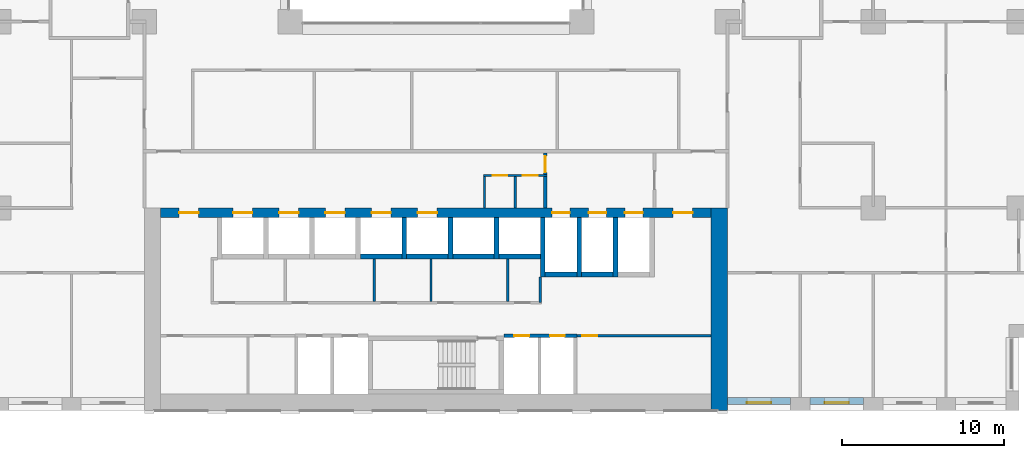
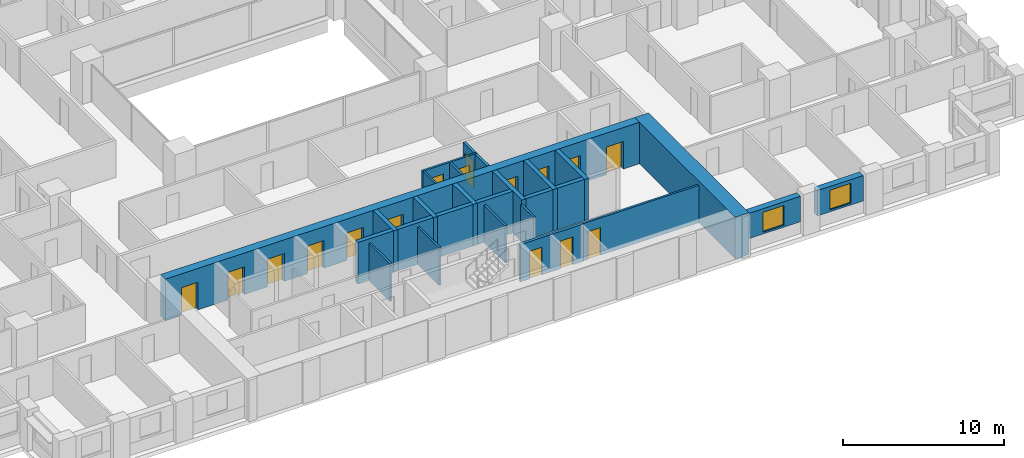
# One storey, part 11 of 19: 27 walls, 16 doors, 2 windows, 18 openings.
"""IFC4 building model written with IfcOpenShell, lengths in metres."""

from ifc_helpers import new_model, si_unit, direction, frame, frame_2d, origin, place, context, subcontext, project, spatial, rectangle, extrude, material, layer, layer_set, type_object, element, fill, save


model = new_model("IFC4")

# Units and contexts
model_context = context("Model", 3, precision=1e-05, world=origin(), true_north=direction((0.0, 1.0)))
body_context = subcontext(model_context, "Body", "Model", "MODEL_VIEW")
ifc_project = project(units=[si_unit("LENGTHUNIT", "METRE"), si_unit("AREAUNIT", "SQUARE_METRE"), si_unit("VOLUMEUNIT", "CUBIC_METRE"), si_unit("PLANEANGLEUNIT", "RADIAN"), si_unit("MASSUNIT", "GRAM", prefix="KILO")], contexts=[model_context])

# Site, building, storey
site_placement = place(None, origin())
site = spatial("IfcSite", under=ifc_project, at=site_placement, CompositionType="ELEMENT")
building_placement = place(site_placement, origin())
building = spatial("IfcBuilding", under=site, at=building_placement, Name="Brigalow Station Residences", CompositionType="ELEMENT")
storey_placement = place(building_placement, frame((0.0, 0.0, 32.10009765625)))
storey = spatial("IfcBuildingStorey", under=building, at=storey_placement, Name="L08", CompositionType="ELEMENT", Elevation=32.10009765625)

# Wall, opening, window
ifc_material_1 = material(Name="Clay brick masonry", Category="masonry")
ifc_layer_1 = layer(ifc_material_1, 0.449951171875)
ifc_layer_set_1 = layer_set([ifc_layer_1], Name="BRICK INFILL WALL 450")
wall_type_1 = type_object("IfcWallType", Name="BRICK INFILL WALL 450", PredefinedType="SOLIDWALL", material=ifc_layer_set_1)
wall_1_placement = place(storey_placement, frame((54.0, 0.574951171875, 0.89990234375), z_axis=(0.0, 0.0, 1.0), x_axis=(1.0, 0.0, 0.0)))
wall_1 = element("IfcWall", 1, at=wall_1_placement, inside=storey, type_object=wall_type_1, Name="L08/ewall/W-L08-5", PredefinedType="SOLIDWALL", context=body_context, shape_type="SweptSolid", body=[
    extrude(rectangle(XDim=3.89990234375, YDim=0.449951171875, at=frame_2d((1.949951171875, 0.0))), origin(), (0.0, 0.0, 1.0), 1.929931640625),
])
opening_1_placement = place(wall_1_placement, frame((1.199951171875, 0.0, 0.14990234375)))
opening_1 = element("IfcOpeningElement", 2, at=opening_1_placement, cuts=wall_1, Name="Opening WT-1", PredefinedType="OPENING", context=body_context, shape_type="SweptSolid", body=[
    extrude(rectangle(XDim=1.5, YDim=1.5, at=frame_2d((0.75, 0.75))), frame((0.0, 0.23486328125, 0.0), z_axis=(0.0, -1.0, 0.0), x_axis=(1.0, 0.0, 0.0)), (0.0, 0.0, 1.0), 0.469970703125),
])
ifc_material_2 = material(Name="Anodised aluminium frame with double glazing", Category="aluminium")
window_type = type_object("IfcWindowType", Name="WINDOW 1500x1500", PartitioningType="SINGLE_PANEL", PredefinedType="WINDOW", material=ifc_material_2)
window_1_placement = place(opening_1_placement, origin())
window_1 = element("IfcWindow", 3, at=window_1_placement, inside=storey, type_object=window_type, Name="L08/window/W-L08-5", OverallHeight=1.5, OverallWidth=1.5, PartitioningType="SINGLE_PANEL", PredefinedType="WINDOW", context=body_context, shape_type="SweptSolid", body=[
    extrude(rectangle(XDim=1.5, YDim=1.5, at=frame_2d((0.75, 0.75))), frame((0.0, -0.06494140625, 0.0), z_axis=(0.0, -1.0, 0.0), x_axis=(1.0, 0.0, 0.0)), (0.0, 0.0, 1.0), 0.06005859375),
])
fill(opening_1, window_1)

wall_2_placement = place(storey_placement, frame((59.10009765625, 0.574951171875, 0.89990234375), z_axis=(0.0, 0.0, 1.0), x_axis=(1.0, 0.0, 0.0)))
wall_2 = element("IfcWall", 4, at=wall_2_placement, inside=storey, type_object=wall_type_1, Name="L08/ewall/W-L08-6", PredefinedType="SOLIDWALL", context=body_context, shape_type="SweptSolid", body=[
    extrude(rectangle(XDim=3.2998046875, YDim=0.449951171875, at=frame_2d((1.64990234375, 0.0))), origin(), (0.0, 0.0, 1.0), 1.929931640625),
])
opening_2_placement = place(wall_2_placement, frame((0.89990234375, 0.0, 0.14990234375)))
opening_2 = element("IfcOpeningElement", 5, at=opening_2_placement, cuts=wall_2, Name="Opening WT-1", PredefinedType="OPENING", context=body_context, shape_type="SweptSolid", body=[
    extrude(rectangle(XDim=1.5, YDim=1.5, at=frame_2d((0.75, 0.75))), frame((0.0, 0.23486328125, 0.0), z_axis=(0.0, -1.0, 0.0), x_axis=(1.0, 0.0, 0.0)), (0.0, 0.0, 1.0), 0.469970703125),
])
window_2_placement = place(opening_2_placement, origin())
window_2 = element("IfcWindow", 6, at=window_2_placement, inside=storey, type_object=window_type, Name="L08/window/W-L08-6", OverallHeight=1.5, OverallWidth=1.5, PartitioningType="SINGLE_PANEL", PredefinedType="WINDOW", context=body_context, shape_type="SweptSolid", body=[
    extrude(rectangle(XDim=1.5, YDim=1.5, at=frame_2d((0.75, 0.75))), frame((0.0, -0.06494140625, 0.0), z_axis=(0.0, -1.0, 0.0), x_axis=(1.0, 0.0, 0.0)), (0.0, 0.0, 1.0), 0.06005859375),
])
fill(opening_2, window_2)

# Walls
ifc_material_3 = material(Name="Concrete C80", Category="concrete")
ifc_layer_2 = layer(ifc_material_3, 1.0)
ifc_layer_set_2 = layer_set([ifc_layer_2], Name="CORE SHEAR WALL 1000 C80")
wall_type_2 = type_object("IfcWallType", Name="CORE SHEAR WALL 1000 C80", PredefinedType="SHEAR", material=ifc_layer_set_2)
wall_3_placement = place(storey_placement, frame((53.5, 0.0, 0.0), z_axis=(0.0, 0.0, 1.0), x_axis=(0.0, 1.0, 0.0)))
element("IfcWall", 7, at=wall_3_placement, inside=storey, type_object=wall_type_2, Name="CORE WALL OUT-E L08", PredefinedType="SHEAR", context=body_context, shape_type="SweptSolid", body=[
    extrude(rectangle(XDim=12.5, YDim=1.0, at=frame_2d((6.25, 0.0))), origin(), (0.0, 0.0, 1.0), 3.14990234375),
])
ifc_material_4 = material(Name="Concrete C80", Category="concrete")
ifc_layer_3 = layer(ifc_material_4, 0.300048828125)
ifc_layer_set_3 = layer_set([ifc_layer_3], Name="CORE SHEAR WALL 300 C80")
wall_type_3 = type_object("IfcWallType", Name="CORE SHEAR WALL 300 C80", PredefinedType="SHEAR", material=ifc_layer_set_3)
wall_4_placement = place(storey_placement, frame((31.35009765625, 9.5, 0.0), z_axis=(0.0, 0.0, 1.0), x_axis=(1.0, 0.0, 0.0)))
element("IfcWall", 8, at=wall_4_placement, inside=storey, type_object=wall_type_3, Name="CORE WALL SH-P4-S L08", PredefinedType="SHEAR", context=body_context, shape_type="SweptSolid", body=[
    extrude(rectangle(XDim=2.5498046875, YDim=0.300048828125, at=frame_2d((1.27490234375, 0.0))), origin(), (0.0, 0.0, 1.0), 3.14990234375),
])
wall_5_placement = place(storey_placement, frame((34.199951171875, 9.5, 0.0), z_axis=(0.0, 0.0, 1.0), x_axis=(1.0, 0.0, 0.0)))
element("IfcWall", 9, at=wall_5_placement, inside=storey, type_object=wall_type_3, Name="CORE WALL SH-P5-S L08", PredefinedType="SHEAR", context=body_context, shape_type="SweptSolid", body=[
    extrude(rectangle(XDim=2.550048828125, YDim=0.300048828125, at=frame_2d((1.27490234375, 0.0))), origin(), (0.0, 0.0, 1.0), 3.14990234375),
])
wall_6_placement = place(storey_placement, frame((34.050048828125, 9.35009765625, 0.0), z_axis=(0.0, 0.0, 1.0), x_axis=(0.0, 1.0, 0.0)))
element("IfcWall", 10, at=wall_6_placement, inside=storey, type_object=wall_type_3, Name="CORE WALL SH-P5-W L08", PredefinedType="SHEAR", context=body_context, shape_type="SweptSolid", body=[
    extrude(rectangle(XDim=2.5498046875, YDim=0.300048828125, at=frame_2d((1.27490234375, 0.0))), origin(), (0.0, 0.0, 1.0), 3.14990234375),
])
wall_7_placement = place(storey_placement, frame((37.050048828125, 9.5, 0.0), z_axis=(0.0, 0.0, 1.0), x_axis=(1.0, 0.0, 0.0)))
element("IfcWall", 11, at=wall_7_placement, inside=storey, type_object=wall_type_3, Name="CORE WALL SH-X1-S L08", PredefinedType="SHEAR", context=body_context, shape_type="SweptSolid", body=[
    extrude(rectangle(XDim=2.550048828125, YDim=0.300048828125, at=frame_2d((1.27490234375, 0.0))), origin(), (0.0, 0.0, 1.0), 3.14990234375),
])
wall_8_placement = place(storey_placement, frame((36.89990234375, 9.35009765625, 0.0), z_axis=(0.0, 0.0, 1.0), x_axis=(0.0, 1.0, 0.0)))
element("IfcWall", 12, at=wall_8_placement, inside=storey, type_object=wall_type_3, Name="CORE WALL SH-X1-W L08", PredefinedType="SHEAR", context=body_context, shape_type="SweptSolid", body=[
    extrude(rectangle(XDim=2.5498046875, YDim=0.300048828125, at=frame_2d((1.27490234375, 0.0))), origin(), (0.0, 0.0, 1.0), 3.14990234375),
])
wall_9_placement = place(storey_placement, frame((39.89990234375, 9.5, 0.0), z_axis=(0.0, 0.0, 1.0), x_axis=(1.0, 0.0, 0.0)))
element("IfcWall", 13, at=wall_9_placement, inside=storey, type_object=wall_type_3, Name="CORE WALL SH-X2-S L08", PredefinedType="SHEAR", context=body_context, shape_type="SweptSolid", body=[
    extrude(rectangle(XDim=2.550048828125, YDim=0.300048828125, at=frame_2d((1.27490234375, 0.0))), origin(), (0.0, 0.0, 1.0), 3.14990234375),
])
wall_10_placement = place(storey_placement, frame((39.75, 9.35009765625, 0.0), z_axis=(0.0, 0.0, 1.0), x_axis=(0.0, 1.0, 0.0)))
element("IfcWall", 14, at=wall_10_placement, inside=storey, type_object=wall_type_3, Name="CORE WALL SH-X2-W L08", PredefinedType="SHEAR", context=body_context, shape_type="SweptSolid", body=[
    extrude(rectangle(XDim=2.5498046875, YDim=0.300048828125, at=frame_2d((1.27490234375, 0.0))), origin(), (0.0, 0.0, 1.0), 3.14990234375),
])
wall_11_placement = place(storey_placement, frame((42.75, 8.39990234375, 0.0), z_axis=(0.0, 0.0, 1.0), x_axis=(1.0, 0.0, 0.0)))
element("IfcWall", 15, at=wall_11_placement, inside=storey, type_object=wall_type_3, Name="CORE WALL SH-FF1-S L08", PredefinedType="SHEAR", context=body_context, shape_type="SweptSolid", body=[
    extrude(rectangle(XDim=1.949951171875, YDim=0.300048828125, at=frame_2d((0.97509765625, 0.0))), origin(), (0.0, 0.0, 1.0), 3.14990234375),
])
wall_12_placement = place(storey_placement, frame((42.60009765625, 8.25, 0.0), z_axis=(0.0, 0.0, 1.0), x_axis=(0.0, 1.0, 0.0)))
element("IfcWall", 16, at=wall_12_placement, inside=storey, type_object=wall_type_3, Name="CORE WALL SH-FF1-W L08", PredefinedType="SHEAR", context=body_context, shape_type="SweptSolid", body=[
    extrude(rectangle(XDim=3.64990234375, YDim=0.300048828125, at=frame_2d((1.824951171875, 0.0))), origin(), (0.0, 0.0, 1.0), 3.14990234375),
])
wall_13_placement = place(storey_placement, frame((45.0, 8.39990234375, 0.0), z_axis=(0.0, 0.0, 1.0), x_axis=(1.0, 0.0, 0.0)))
element("IfcWall", 17, at=wall_13_placement, inside=storey, type_object=wall_type_3, Name="CORE WALL SH-FF2-S L08", PredefinedType="SHEAR", context=body_context, shape_type="SweptSolid", body=[
    extrude(rectangle(XDim=1.949951171875, YDim=0.300048828125, at=frame_2d((0.97509765625, 0.0))), origin(), (0.0, 0.0, 1.0), 3.14990234375),
])
for number, where, z_axis, x_axis, name in (
    (18, (44.85009765625, 8.25, 0.0), (0.0, 0.0, 1.0), (0.0, 1.0, 0.0), "CORE WALL SH-FF2-W L08"),
    (19, (47.10009765625, 8.25, 0.0), (0.0, 0.0, 1.0), (0.0, 1.0, 0.0), "CORE WALL SH-SL1-W L08"),
):
    element("IfcWall", number, at=place(storey_placement, frame(where, z_axis=z_axis, x_axis=x_axis)), inside=storey, type_object=wall_type_3, Name=name, PredefinedType="SHEAR", context=body_context, shape_type="SweptSolid", body=[
        extrude(rectangle(XDim=3.64990234375, YDim=0.300048828125, at=frame_2d((1.824951171875, 0.0))), origin(), (0.0, 0.0, 1.0), 3.14990234375),
    ])

# Wall, openings, doors
ifc_material_5 = material(Name="Concrete C80", Category="concrete")
ifc_layer_4 = layer(ifc_material_5, 0.60009765625)
ifc_layer_set_4 = layer_set([ifc_layer_4], Name="CORE SHEAR WALL 600 C80")
wall_type_4 = type_object("IfcWallType", Name="CORE SHEAR WALL 600 C80", PredefinedType="SHEAR", material=ifc_layer_set_4)
wall_14_placement = place(storey_placement, frame((19.0, 12.199951171875, 0.0), z_axis=(0.0, 0.0, 1.0), x_axis=(1.0, 0.0, 0.0)))
wall_14 = element("IfcWall", 20, at=wall_14_placement, inside=storey, type_object=wall_type_4, Name="CORE WALL OUT-N L08", PredefinedType="SHEAR", context=body_context, shape_type="SweptSolid", body=[
    extrude(rectangle(XDim=34.0, YDim=0.60009765625, at=frame_2d((17.0, 0.0))), origin(), (0.0, 0.0, 1.0), 3.14990234375),
])
opening_3_placement = place(wall_14_placement, frame((4.47509765625, 0.0, 0.0)))
opening_3 = element("IfcOpeningElement", 21, at=opening_3_placement, cuts=wall_14, Name="Opening LD-LA1", PredefinedType="OPENING", context=body_context, shape_type="SweptSolid", body=[
    extrude(rectangle(XDim=1.199951171875, YDim=2.10009765625, at=frame_2d((0.60009765625, 1.050048828125))), frame((0.0, 0.31005859375, 0.0), z_axis=(0.0, -1.0, 0.0), x_axis=(1.0, 0.0, 0.0)), (0.0, 0.0, 1.0), 0.6201171875),
])
opening_4_placement = place(wall_14_placement, frame((7.324951171875, 0.0, 0.0)))
opening_4 = element("IfcOpeningElement", 22, at=opening_4_placement, cuts=wall_14, Name="Opening LD-LA2", PredefinedType="OPENING", context=body_context, shape_type="SweptSolid", body=[
    extrude(rectangle(XDim=1.199951171875, YDim=2.10009765625, at=frame_2d((0.60009765625, 1.050048828125))), frame((0.0, 0.31005859375, 0.0), z_axis=(0.0, -1.0, 0.0), x_axis=(1.0, 0.0, 0.0)), (0.0, 0.0, 1.0), 0.6201171875),
])
opening_5_placement = place(wall_14_placement, frame((10.175048828125, 0.0, 0.0)))
opening_5 = element("IfcOpeningElement", 23, at=opening_5_placement, cuts=wall_14, Name="Opening LD-LA3", PredefinedType="OPENING", context=body_context, shape_type="SweptSolid", body=[
    extrude(rectangle(XDim=1.199951171875, YDim=2.10009765625, at=frame_2d((0.60009765625, 1.050048828125))), frame((0.0, 0.31005859375, 0.0), z_axis=(0.0, -1.0, 0.0), x_axis=(1.0, 0.0, 0.0)), (0.0, 0.0, 1.0), 0.6201171875),
])
opening_6_placement = place(wall_14_placement, frame((13.02490234375, 0.0, 0.0)))
opening_6 = element("IfcOpeningElement", 24, at=opening_6_placement, cuts=wall_14, Name="Opening LD-LA4", PredefinedType="OPENING", context=body_context, shape_type="SweptSolid", body=[
    extrude(rectangle(XDim=1.199951171875, YDim=2.10009765625, at=frame_2d((0.60009765625, 1.050048828125))), frame((0.0, 0.31005859375, 0.0), z_axis=(0.0, -1.0, 0.0), x_axis=(1.0, 0.0, 0.0)), (0.0, 0.0, 1.0), 0.6201171875),
])
opening_7_placement = place(wall_14_placement, frame((15.875, 0.0, 0.0)))
opening_7 = element("IfcOpeningElement", 25, at=opening_7_placement, cuts=wall_14, Name="Opening LD-LA5", PredefinedType="OPENING", context=body_context, shape_type="SweptSolid", body=[
    extrude(rectangle(XDim=1.199951171875, YDim=2.10009765625, at=frame_2d((0.60009765625, 1.050048828125))), frame((0.0, 0.31005859375, 0.0), z_axis=(0.0, -1.0, 0.0), x_axis=(1.0, 0.0, 0.0)), (0.0, 0.0, 1.0), 0.6201171875),
])
opening_8_placement = place(wall_14_placement, frame((24.175048828125, 0.0, 0.0)))
opening_8 = element("IfcOpeningElement", 26, at=opening_8_placement, cuts=wall_14, Name="Opening LD-LF1", PredefinedType="OPENING", context=body_context, shape_type="SweptSolid", body=[
    extrude(rectangle(XDim=1.10009765625, YDim=2.10009765625, at=frame_2d((0.550048828125, 1.050048828125))), frame((0.0, 0.31005859375, 0.0), z_axis=(0.0, -1.0, 0.0), x_axis=(1.0, 0.0, 0.0)), (0.0, 0.0, 1.0), 0.6201171875),
])
opening_9_placement = place(wall_14_placement, frame((26.425048828125, 0.0, 0.0)))
opening_9 = element("IfcOpeningElement", 27, at=opening_9_placement, cuts=wall_14, Name="Opening LD-LF2", PredefinedType="OPENING", context=body_context, shape_type="SweptSolid", body=[
    extrude(rectangle(XDim=1.10009765625, YDim=2.10009765625, at=frame_2d((0.550048828125, 1.050048828125))), frame((0.0, 0.31005859375, 0.0), z_axis=(0.0, -1.0, 0.0), x_axis=(1.0, 0.0, 0.0)), (0.0, 0.0, 1.0), 0.6201171875),
])
opening_10_placement = place(wall_14_placement, frame((28.675048828125, 0.0, 0.0)))
opening_10 = element("IfcOpeningElement", 28, at=opening_10_placement, cuts=wall_14, Name="Opening LD-LG1", PredefinedType="OPENING", context=body_context, shape_type="SweptSolid", body=[
    extrude(rectangle(XDim=1.10009765625, YDim=2.10009765625, at=frame_2d((0.550048828125, 1.050048828125))), frame((0.0, 0.31005859375, 0.0), z_axis=(0.0, -1.0, 0.0), x_axis=(1.0, 0.0, 0.0)), (0.0, 0.0, 1.0), 0.6201171875),
])
opening_11_placement = place(wall_14_placement, frame((1.14990234375, 0.0, 0.0)))
opening_11 = element("IfcOpeningElement", 29, at=opening_11_placement, cuts=wall_14, Name="Opening D-5011", PredefinedType="OPENING", context=body_context, shape_type="SweptSolid", body=[
    extrude(rectangle(XDim=1.199951171875, YDim=2.10009765625, at=frame_2d((0.60009765625, 1.050048828125))), frame((0.0, 0.31005859375, 0.0), z_axis=(0.0, -1.0, 0.0), x_axis=(1.0, 0.0, 0.0)), (0.0, 0.0, 1.0), 0.6201171875),
])
opening_12_placement = place(wall_14_placement, frame((31.64990234375, 0.0, 0.0)))
opening_12 = element("IfcOpeningElement", 30, at=opening_12_placement, cuts=wall_14, Name="Opening D-5012", PredefinedType="OPENING", context=body_context, shape_type="SweptSolid", body=[
    extrude(rectangle(XDim=1.199951171875, YDim=2.10009765625, at=frame_2d((0.60009765625, 1.050048828125))), frame((0.0, 0.31005859375, 0.0), z_axis=(0.0, -1.0, 0.0), x_axis=(1.0, 0.0, 0.0)), (0.0, 0.0, 1.0), 0.6201171875),
])
ifc_material_6 = material(Name="Steel fire door leaf in steel frame", Category="steel")
door_type_1 = type_object("IfcDoorType", Name="CORE CORRIDOR DOOR 1200 x 2100 FD60S", OperationType="SINGLE_SWING_LEFT", PredefinedType="DOOR", material=ifc_material_6)
door_1_placement = place(opening_11_placement, frame((1.199951171875, 0.0, 0.0), z_axis=(0.0, 0.0, 1.0), x_axis=(-1.0, 0.0, 0.0)))
door_1 = element("IfcDoor", 31, at=door_1_placement, inside=storey, type_object=door_type_1, Name="D-5011", OperationType="SINGLE_SWING_LEFT", OverallHeight=2.10009765625, OverallWidth=1.199951171875, PredefinedType="DOOR", context=body_context, shape_type="SweptSolid", body=[
    extrude(rectangle(XDim=1.199951171875, YDim=2.10009765625, at=frame_2d((0.60009765625, 1.050048828125))), frame((0.0, 0.02490234375, 0.0), z_axis=(0.0, -1.0, 0.0), x_axis=(1.0, 0.0, 0.0)), (0.0, 0.0, 1.0), 0.050048828125),
])
fill(opening_11, door_1)
door_2_placement = place(opening_12_placement, frame((1.199951171875, 0.0, 0.0), z_axis=(0.0, 0.0, 1.0), x_axis=(-1.0, 0.0, 0.0)))
door_2 = element("IfcDoor", 32, at=door_2_placement, inside=storey, type_object=door_type_1, Name="D-5012", OperationType="SINGLE_SWING_RIGHT", OverallHeight=2.10009765625, OverallWidth=1.199951171875, PredefinedType="DOOR", context=body_context, shape_type="SweptSolid", body=[
    extrude(rectangle(XDim=1.199951171875, YDim=2.10009765625, at=frame_2d((0.60009765625, 1.050048828125))), frame((0.0, 0.02490234375, 0.0), z_axis=(0.0, -1.0, 0.0), x_axis=(1.0, 0.0, 0.0)), (0.0, 0.0, 1.0), 0.050048828125),
])
fill(opening_12, door_2)
ifc_material_7 = material(Name="Stainless steel sliding door leaves", Category="steel")
door_type_2 = type_object("IfcDoorType", Name="LIFT LANDING DOOR 1100 x 2100", OperationType="DOUBLE_DOOR_SLIDING", PredefinedType="DOOR", material=ifc_material_7)
door_3_placement = place(opening_8_placement, origin())
door_3 = element("IfcDoor", 33, at=door_3_placement, inside=storey, type_object=door_type_2, Name="LANDING DOOR LF1", OperationType="DOUBLE_DOOR_SLIDING", OverallHeight=2.10009765625, OverallWidth=1.10009765625, PredefinedType="DOOR", context=body_context, shape_type="SweptSolid", body=[
    extrude(rectangle(XDim=1.10009765625, YDim=2.10009765625, at=frame_2d((0.550048828125, 1.050048828125))), frame((0.0, 0.02490234375, 0.0), z_axis=(0.0, -1.0, 0.0), x_axis=(1.0, 0.0, 0.0)), (0.0, 0.0, 1.0), 0.050048828125),
])
fill(opening_8, door_3)
door_4_placement = place(opening_9_placement, origin())
door_4 = element("IfcDoor", 34, at=door_4_placement, inside=storey, type_object=door_type_2, Name="LANDING DOOR LF2", OperationType="DOUBLE_DOOR_SLIDING", OverallHeight=2.10009765625, OverallWidth=1.10009765625, PredefinedType="DOOR", context=body_context, shape_type="SweptSolid", body=[
    extrude(rectangle(XDim=1.10009765625, YDim=2.10009765625, at=frame_2d((0.550048828125, 1.050048828125))), frame((0.0, 0.02490234375, 0.0), z_axis=(0.0, -1.0, 0.0), x_axis=(1.0, 0.0, 0.0)), (0.0, 0.0, 1.0), 0.050048828125),
])
fill(opening_9, door_4)
door_5_placement = place(opening_10_placement, origin())
door_5 = element("IfcDoor", 35, at=door_5_placement, inside=storey, type_object=door_type_2, Name="LANDING DOOR LG1", OperationType="DOUBLE_DOOR_SLIDING", OverallHeight=2.10009765625, OverallWidth=1.10009765625, PredefinedType="DOOR", context=body_context, shape_type="SweptSolid", body=[
    extrude(rectangle(XDim=1.10009765625, YDim=2.10009765625, at=frame_2d((0.550048828125, 1.050048828125))), frame((0.0, 0.02490234375, 0.0), z_axis=(0.0, -1.0, 0.0), x_axis=(1.0, 0.0, 0.0)), (0.0, 0.0, 1.0), 0.050048828125),
])
fill(opening_10, door_5)
ifc_material_8 = material(Name="Stainless steel sliding door leaves", Category="steel")
door_type_3 = type_object("IfcDoorType", Name="LIFT LANDING DOOR 1200 x 2100", OperationType="DOUBLE_DOOR_SLIDING", PredefinedType="DOOR", material=ifc_material_8)
door_6_placement = place(opening_3_placement, origin())
door_6 = element("IfcDoor", 36, at=door_6_placement, inside=storey, type_object=door_type_3, Name="LANDING DOOR LA1", OperationType="DOUBLE_DOOR_SLIDING", OverallHeight=2.10009765625, OverallWidth=1.199951171875, PredefinedType="DOOR", context=body_context, shape_type="SweptSolid", body=[
    extrude(rectangle(XDim=1.199951171875, YDim=2.10009765625, at=frame_2d((0.60009765625, 1.050048828125))), frame((0.0, 0.02490234375, 0.0), z_axis=(0.0, -1.0, 0.0), x_axis=(1.0, 0.0, 0.0)), (0.0, 0.0, 1.0), 0.050048828125),
])
fill(opening_3, door_6)
door_7_placement = place(opening_4_placement, origin())
door_7 = element("IfcDoor", 37, at=door_7_placement, inside=storey, type_object=door_type_3, Name="LANDING DOOR LA2", OperationType="DOUBLE_DOOR_SLIDING", OverallHeight=2.10009765625, OverallWidth=1.199951171875, PredefinedType="DOOR", context=body_context, shape_type="SweptSolid", body=[
    extrude(rectangle(XDim=1.199951171875, YDim=2.10009765625, at=frame_2d((0.60009765625, 1.050048828125))), frame((0.0, 0.02490234375, 0.0), z_axis=(0.0, -1.0, 0.0), x_axis=(1.0, 0.0, 0.0)), (0.0, 0.0, 1.0), 0.050048828125),
])
fill(opening_4, door_7)
door_8_placement = place(opening_5_placement, origin())
door_8 = element("IfcDoor", 38, at=door_8_placement, inside=storey, type_object=door_type_3, Name="LANDING DOOR LA3", OperationType="DOUBLE_DOOR_SLIDING", OverallHeight=2.10009765625, OverallWidth=1.199951171875, PredefinedType="DOOR", context=body_context, shape_type="SweptSolid", body=[
    extrude(rectangle(XDim=1.199951171875, YDim=2.10009765625, at=frame_2d((0.60009765625, 1.050048828125))), frame((0.0, 0.02490234375, 0.0), z_axis=(0.0, -1.0, 0.0), x_axis=(1.0, 0.0, 0.0)), (0.0, 0.0, 1.0), 0.050048828125),
])
fill(opening_5, door_8)
door_9_placement = place(opening_6_placement, origin())
door_9 = element("IfcDoor", 39, at=door_9_placement, inside=storey, type_object=door_type_3, Name="LANDING DOOR LA4", OperationType="DOUBLE_DOOR_SLIDING", OverallHeight=2.10009765625, OverallWidth=1.199951171875, PredefinedType="DOOR", context=body_context, shape_type="SweptSolid", body=[
    extrude(rectangle(XDim=1.199951171875, YDim=2.10009765625, at=frame_2d((0.60009765625, 1.050048828125))), frame((0.0, 0.02490234375, 0.0), z_axis=(0.0, -1.0, 0.0), x_axis=(1.0, 0.0, 0.0)), (0.0, 0.0, 1.0), 0.050048828125),
])
fill(opening_6, door_9)
door_10_placement = place(opening_7_placement, origin())
door_10 = element("IfcDoor", 40, at=door_10_placement, inside=storey, type_object=door_type_3, Name="LANDING DOOR LA5", OperationType="DOUBLE_DOOR_SLIDING", OverallHeight=2.10009765625, OverallWidth=1.199951171875, PredefinedType="DOOR", context=body_context, shape_type="SweptSolid", body=[
    extrude(rectangle(XDim=1.199951171875, YDim=2.10009765625, at=frame_2d((0.60009765625, 1.050048828125))), frame((0.0, 0.02490234375, 0.0), z_axis=(0.0, -1.0, 0.0), x_axis=(1.0, 0.0, 0.0)), (0.0, 0.0, 1.0), 0.050048828125),
])
fill(opening_7, door_10)

ifc_material_9 = material(Name="Concrete blockwork", Category="masonry")
ifc_layer_5 = layer(ifc_material_9, 0.199951171875)
ifc_layer_set_5 = layer_set([ifc_layer_5], Name="FIRE RATED CORE PARTITION 200")
wall_type_5 = type_object("IfcWallType", Name="FIRE RATED CORE PARTITION 200", PredefinedType="PARTITIONING", material=ifc_layer_set_5)
wall_15_placement = place(storey_placement, frame((40.199951171875, 4.60009765625, 0.0), z_axis=(0.0, 0.0, 1.0), x_axis=(1.0, 0.0, 0.0)))
wall_15 = element("IfcWall", 41, at=wall_15_placement, inside=storey, type_object=wall_type_5, Name="PW-5018", PredefinedType="PARTITIONING", context=body_context, shape_type="SweptSolid", body=[
    extrude(rectangle(XDim=4.5, YDim=0.199951171875, at=frame_2d((2.25, 0.0))), origin(), (0.0, 0.0, 1.0), 2.829833984375),
])
opening_13_placement = place(wall_15_placement, frame((0.64990234375, 0.0, 0.0)))
opening_13 = element("IfcOpeningElement", 42, at=opening_13_placement, cuts=wall_15, Name="Opening D-5009", PredefinedType="OPENING", context=body_context, shape_type="SweptSolid", body=[
    extrude(rectangle(XDim=0.89990234375, YDim=2.10009765625, at=frame_2d((0.449951171875, 1.050048828125))), frame((0.0, 0.10986328125, 0.0), z_axis=(0.0, -1.0, 0.0), x_axis=(1.0, 0.0, 0.0)), (0.0, 0.0, 1.0), 0.219970703125),
])
opening_14_placement = place(wall_15_placement, frame((2.85009765625, 0.0, 0.0)))
opening_14 = element("IfcOpeningElement", 43, at=opening_14_placement, cuts=wall_15, Name="Opening D-5010", PredefinedType="OPENING", context=body_context, shape_type="SweptSolid", body=[
    extrude(rectangle(XDim=0.89990234375, YDim=2.10009765625, at=frame_2d((0.449951171875, 1.050048828125))), frame((0.0, 0.10986328125, 0.0), z_axis=(0.0, -1.0, 0.0), x_axis=(1.0, 0.0, 0.0)), (0.0, 0.0, 1.0), 0.219970703125),
])
ifc_material_10 = material(Name="Steel fire door leaf in steel frame", Category="steel")
door_type_4 = type_object("IfcDoorType", Name="RISER ACCESS DOOR 900 x 2100 FD120", OperationType="SINGLE_SWING_LEFT", PredefinedType="DOOR", material=ifc_material_10)
door_11_placement = place(opening_13_placement, frame((0.89990234375, 0.0, 0.0), z_axis=(0.0, 0.0, 1.0), x_axis=(-1.0, 0.0, 0.0)))
door_11 = element("IfcDoor", 44, at=door_11_placement, inside=storey, type_object=door_type_4, Name="D-5009", OperationType="SINGLE_SWING_LEFT", OverallHeight=2.10009765625, OverallWidth=0.89990234375, PredefinedType="DOOR", context=body_context, shape_type="SweptSolid", body=[
    extrude(rectangle(XDim=0.89990234375, YDim=2.10009765625, at=frame_2d((0.449951171875, 1.050048828125))), frame((0.0, 0.02490234375, 0.0), z_axis=(0.0, -1.0, 0.0), x_axis=(1.0, 0.0, 0.0)), (0.0, 0.0, 1.0), 0.050048828125),
])
fill(opening_13, door_11)
door_12_placement = place(opening_14_placement, frame((0.89990234375, 0.0, 0.0), z_axis=(0.0, 0.0, 1.0), x_axis=(-1.0, 0.0, 0.0)))
door_12 = element("IfcDoor", 45, at=door_12_placement, inside=storey, type_object=door_type_4, Name="D-5010", OperationType="SINGLE_SWING_LEFT", OverallHeight=2.10009765625, OverallWidth=0.89990234375, PredefinedType="DOOR", context=body_context, shape_type="SweptSolid", body=[
    extrude(rectangle(XDim=0.89990234375, YDim=2.10009765625, at=frame_2d((0.449951171875, 1.050048828125))), frame((0.0, 0.02490234375, 0.0), z_axis=(0.0, -1.0, 0.0), x_axis=(1.0, 0.0, 0.0)), (0.0, 0.0, 1.0), 0.050048828125),
])
fill(opening_14, door_12)

# Wall
wall_16_placement = place(storey_placement, frame((42.75, 12.5, 0.0), z_axis=(0.0, 0.0, 1.0), x_axis=(0.0, 1.0, 0.0)))
element("IfcWall", 46, at=wall_16_placement, inside=storey, type_object=wall_type_5, Name="PW-5046", PredefinedType="PARTITIONING", context=body_context, shape_type="SweptSolid", body=[
    extrude(rectangle(XDim=1.925048828125, YDim=0.199951171875, at=frame_2d((0.96240234375, 0.0))), origin(), (0.0, 0.0, 1.0), 2.829833984375),
])

# Wall, opening, door
wall_17_placement = place(storey_placement, frame((42.75, 14.574951171875, 0.0), z_axis=(0.0, 0.0, 1.0), x_axis=(0.0, 1.0, 0.0)))
wall_17 = element("IfcWall", 47, at=wall_17_placement, inside=storey, type_object=wall_type_5, Name="PW-5047", PredefinedType="PARTITIONING", context=body_context, shape_type="SweptSolid", body=[
    extrude(rectangle(XDim=1.324951171875, YDim=0.199951171875, at=frame_2d((0.66259765625, 0.0))), origin(), (0.0, 0.0, 1.0), 2.829833984375),
])
opening_15_placement = place(wall_17_placement, frame((0.125, 0.0, 0.0)))
opening_15 = element("IfcOpeningElement", 48, at=opening_15_placement, cuts=wall_17, Name="Opening D-5013", PredefinedType="OPENING", context=body_context, shape_type="SweptSolid", body=[
    extrude(rectangle(XDim=1.0, YDim=2.10009765625, at=frame_2d((0.5, 1.050048828125))), frame((0.0, 0.10986328125, 0.0), z_axis=(0.0, -1.0, 0.0), x_axis=(1.0, 0.0, 0.0)), (0.0, 0.0, 1.0), 0.219970703125),
])
ifc_material_11 = material(Name="Steel fire door leaf in steel frame", Category="steel")
door_type_5 = type_object("IfcDoorType", Name="LOBBY DOOR 1000 x 2100 FD60S", OperationType="SINGLE_SWING_LEFT", PredefinedType="DOOR", material=ifc_material_11)
door_13_placement = place(opening_15_placement, origin())
door_13 = element("IfcDoor", 49, at=door_13_placement, inside=storey, type_object=door_type_5, Name="D-5013", OperationType="SINGLE_SWING_LEFT", OverallHeight=2.10009765625, OverallWidth=1.0, PredefinedType="DOOR", context=body_context, shape_type="SweptSolid", body=[
    extrude(rectangle(XDim=1.0, YDim=2.10009765625, at=frame_2d((0.5, 1.050048828125))), frame((0.0, 0.02490234375, 0.0), z_axis=(0.0, -1.0, 0.0), x_axis=(1.0, 0.0, 0.0)), (0.0, 0.0, 1.0), 0.050048828125),
])
fill(opening_15, door_13)

ifc_material_12 = material(Name="Plasterboard on steel studs", Category="steel")
ifc_layer_6 = layer(ifc_material_12, 0.14990234375)
ifc_layer_set_6 = layer_set([ifc_layer_6], Name="SERVICE ROOM PARTITION 150")
wall_type_6 = type_object("IfcWallType", Name="SERVICE ROOM PARTITION 150", PredefinedType="PARTITIONING", material=ifc_layer_set_6)
wall_18_placement = place(storey_placement, frame((44.699951171875, 4.60009765625, 0.0), z_axis=(0.0, 0.0, 1.0), x_axis=(1.0, 0.0, 0.0)))
wall_18 = element("IfcWall", 50, at=wall_18_placement, inside=storey, type_object=wall_type_6, Name="PW-5020", PredefinedType="PARTITIONING", context=body_context, shape_type="SweptSolid", body=[
    extrude(rectangle(XDim=8.300048828125, YDim=0.14990234375, at=frame_2d((4.14990234375, 0.0))), origin(), (0.0, 0.0, 1.0), 2.829833984375),
])
opening_16_placement = place(wall_18_placement, frame((0.35009765625, 0.0, 0.0)))
opening_16 = element("IfcOpeningElement", 51, at=opening_16_placement, cuts=wall_18, Name="Opening D-5026", PredefinedType="OPENING", context=body_context, shape_type="SweptSolid", body=[
    extrude(rectangle(XDim=0.89990234375, YDim=2.10009765625, at=frame_2d((0.449951171875, 1.050048828125))), frame((0.0, 0.0849609375, 0.0), z_axis=(0.0, -1.0, 0.0), x_axis=(1.0, 0.0, 0.0)), (0.0, 0.0, 1.0), 0.169921875),
])
ifc_material_13 = material(Name="Steel door leaf in steel frame", Category="steel")
door_type_6 = type_object("IfcDoorType", Name="SERVICE ROOM DOOR 900 x 2100 FD60", OperationType="SINGLE_SWING_LEFT", PredefinedType="DOOR", material=ifc_material_13)
door_14_placement = place(opening_16_placement, frame((0.89990234375, 0.0, 0.0), z_axis=(0.0, 0.0, 1.0), x_axis=(-1.0, 0.0, 0.0)))
door_14 = element("IfcDoor", 52, at=door_14_placement, inside=storey, type_object=door_type_6, Name="D-5026", OperationType="SINGLE_SWING_RIGHT", OverallHeight=2.10009765625, OverallWidth=0.89990234375, PredefinedType="DOOR", context=body_context, shape_type="SweptSolid", body=[
    extrude(rectangle(XDim=0.89990234375, YDim=2.10009765625, at=frame_2d((0.449951171875, 1.050048828125))), frame((0.0, 0.02490234375, 0.0), z_axis=(0.0, -1.0, 0.0), x_axis=(1.0, 0.0, 0.0)), (0.0, 0.0, 1.0), 0.050048828125),
])
fill(opening_16, door_14)

# Wall, openings, doors
wall_19_placement = place(storey_placement, frame((38.925048828125, 14.5, 0.0), z_axis=(0.0, 0.0, 1.0), x_axis=(1.0, 0.0, 0.0)))
wall_19 = element("IfcWall", 53, at=wall_19_placement, inside=storey, type_object=wall_type_6, Name="PW-5129", PredefinedType="PARTITIONING", context=body_context, shape_type="SweptSolid", body=[
    extrude(rectangle(XDim=3.925048828125, YDim=0.14990234375, at=frame_2d((1.96240234375, 0.0))), origin(), (0.0, 0.0, 1.0), 2.829833984375),
])
opening_17_placement = place(wall_19_placement, frame((0.574951171875, 0.0, 0.0)))
opening_17 = element("IfcOpeningElement", 54, at=opening_17_placement, cuts=wall_19, Name="Opening D-5077", PredefinedType="OPENING", context=body_context, shape_type="SweptSolid", body=[
    extrude(rectangle(XDim=0.89990234375, YDim=2.10009765625, at=frame_2d((0.449951171875, 1.050048828125))), frame((0.0, 0.0849609375, 0.0), z_axis=(0.0, -1.0, 0.0), x_axis=(1.0, 0.0, 0.0)), (0.0, 0.0, 1.0), 0.169921875),
])
opening_18_placement = place(wall_19_placement, frame((2.449951171875, 0.0, 0.0)))
opening_18 = element("IfcOpeningElement", 55, at=opening_18_placement, cuts=wall_19, Name="Opening D-5078", PredefinedType="OPENING", context=body_context, shape_type="SweptSolid", body=[
    extrude(rectangle(XDim=0.89990234375, YDim=2.10009765625, at=frame_2d((0.449951171875, 1.050048828125))), frame((0.0, 0.0849609375, 0.0), z_axis=(0.0, -1.0, 0.0), x_axis=(1.0, 0.0, 0.0)), (0.0, 0.0, 1.0), 0.169921875),
])
door_15_placement = place(opening_17_placement, frame((0.89990234375, 0.0, 0.0), z_axis=(0.0, 0.0, 1.0), x_axis=(-1.0, 0.0, 0.0)))
door_15 = element("IfcDoor", 56, at=door_15_placement, inside=storey, type_object=door_type_6, Name="D-5077", OperationType="SINGLE_SWING_RIGHT", OverallHeight=2.10009765625, OverallWidth=0.89990234375, PredefinedType="DOOR", context=body_context, shape_type="SweptSolid", body=[
    extrude(rectangle(XDim=0.89990234375, YDim=2.10009765625, at=frame_2d((0.449951171875, 1.050048828125))), frame((0.0, 0.02490234375, 0.0), z_axis=(0.0, -1.0, 0.0), x_axis=(1.0, 0.0, 0.0)), (0.0, 0.0, 1.0), 0.050048828125),
])
fill(opening_17, door_15)
door_16_placement = place(opening_18_placement, frame((0.89990234375, 0.0, 0.0), z_axis=(0.0, 0.0, 1.0), x_axis=(-1.0, 0.0, 0.0)))
door_16 = element("IfcDoor", 57, at=door_16_placement, inside=storey, type_object=door_type_6, Name="D-5078", OperationType="SINGLE_SWING_LEFT", OverallHeight=2.10009765625, OverallWidth=0.89990234375, PredefinedType="DOOR", context=body_context, shape_type="SweptSolid", body=[
    extrude(rectangle(XDim=0.89990234375, YDim=2.10009765625, at=frame_2d((0.449951171875, 1.050048828125))), frame((0.0, 0.02490234375, 0.0), z_axis=(0.0, -1.0, 0.0), x_axis=(1.0, 0.0, 0.0)), (0.0, 0.0, 1.0), 0.050048828125),
])
fill(opening_18, door_16)

# Walls
wall_20_placement = place(storey_placement, frame((42.449951171875, 6.64990234375, 0.0), z_axis=(0.0, 0.0, 1.0), x_axis=(0.0, 1.0, 0.0)))
element("IfcWall", 58, at=wall_20_placement, inside=storey, type_object=wall_type_6, Name="PW-5029", PredefinedType="PARTITIONING", context=body_context, shape_type="SweptSolid", body=[
    extrude(rectangle(XDim=1.60009765625, YDim=0.14990234375, at=frame_2d((0.800048828125, 0.0))), origin(), (0.0, 0.0, 1.0), 2.829833984375),
])
for number, where, z_axis, x_axis, name in (
    (59, (32.199951171875, 6.72509765625, 0.0), (0.0, 0.0, 1.0), (0.0, 1.0, 0.0), "PW-5042"),
    (60, (35.699951171875, 6.72509765625, 0.0), (0.0, 0.0, 1.0), (0.0, 1.0, 0.0), "PW-5043"),
    (61, (40.449951171875, 6.72509765625, 0.0), (0.0, 0.0, 1.0), (0.0, 1.0, 0.0), "PW-5044"),
):
    element("IfcWall", number, at=place(storey_placement, frame(where, z_axis=z_axis, x_axis=x_axis)), inside=storey, type_object=wall_type_6, Name=name, PredefinedType="PARTITIONING", context=body_context, shape_type="SweptSolid", body=[
        extrude(rectangle(XDim=2.625, YDim=0.14990234375, at=frame_2d((1.3125, 0.0))), origin(), (0.0, 0.0, 1.0), 2.829833984375),
    ])
for number, where, z_axis, x_axis, name in (
    (62, (39.0, 12.5, 0.0), (0.0, 0.0, 1.0), (0.0, 1.0, 0.0), "PW-5136"),
    (63, (40.89990234375, 12.5, 0.0), (0.0, 0.0, 1.0), (0.0, 1.0, 0.0), "PW-5137"),
):
    element("IfcWall", number, at=place(storey_placement, frame(where, z_axis=z_axis, x_axis=x_axis)), inside=storey, type_object=wall_type_6, Name=name, PredefinedType="PARTITIONING", context=body_context, shape_type="SweptSolid", body=[
        extrude(rectangle(XDim=1.925048828125, YDim=0.14990234375, at=frame_2d((0.96240234375, 0.0))), origin(), (0.0, 0.0, 1.0), 2.829833984375),
    ])

save(model, "model.ifc")
